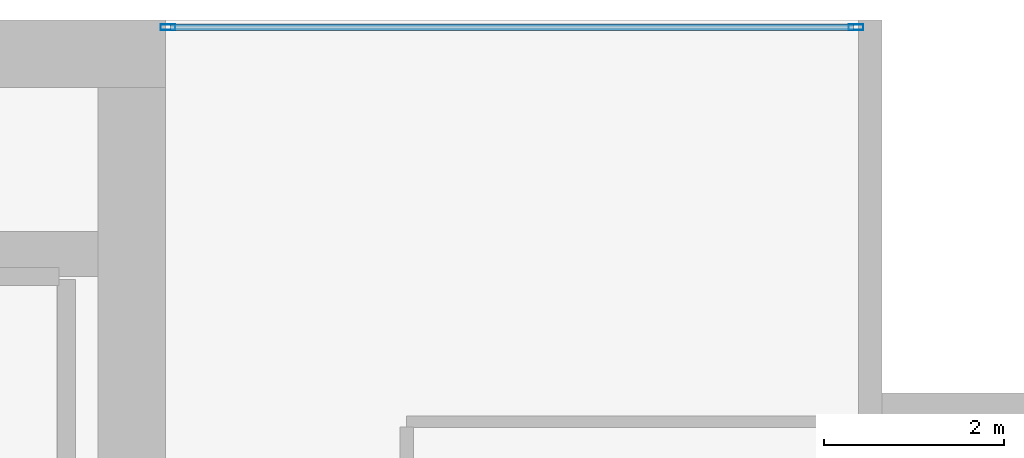
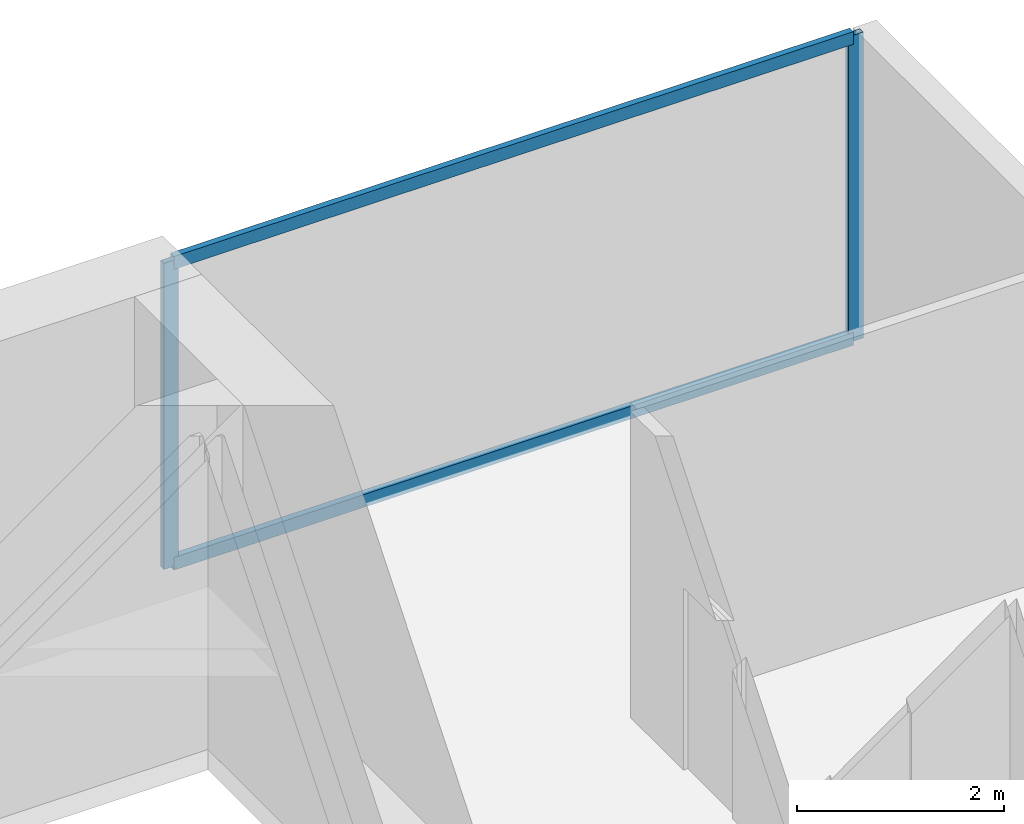
# One storey, part 25 of 34: 4 members, 1 element without a shape of its own.
"""IFC4 building model written with IfcOpenShell, lengths in metres."""

from ifc_helpers import new_model, si_unit, direction, frame, origin, origin_2d, place, context, subcontext, project, spatial, hollow_rectangle, extrude, material, layer, layer_set, material_profile, profile_set, type_object, element, aggregate, save


model = new_model("IFC4")

# Units and contexts
model_context = context("Model", 3, precision=1e-05, world=origin(), true_north=direction((0.0, 1.0)))
body_context = subcontext(model_context, "Body", "Model", "MODEL_VIEW")
ifc_project = project(units=[si_unit("LENGTHUNIT", "METRE"), si_unit("AREAUNIT", "SQUARE_METRE"), si_unit("VOLUMEUNIT", "CUBIC_METRE"), si_unit("PLANEANGLEUNIT", "RADIAN"), si_unit("MASSUNIT", "GRAM", prefix="KILO")], contexts=[model_context])

# Site, building, storey
site_placement = place(None, origin())
site = spatial("IfcSite", under=ifc_project, at=site_placement, CompositionType="ELEMENT")
building_placement = place(site_placement, origin())
building = spatial("IfcBuilding", under=site, at=building_placement, Name="Maruvema Waterfront Hotel and Observation Tower", CompositionType="ELEMENT")
storey_placement = place(building_placement, frame((0.0, 0.0, 181.300048828125)))
storey = spatial("IfcBuildingStorey", under=building, at=storey_placement, Name="L44", CompositionType="ELEMENT", Elevation=181.300048828125)

# Curtain wall, members
ifc_material_1 = material(Name="Anodised bronze aluminium and solar-control low-E IGU", Category="aluminium")
ifc_layer = layer(ifc_material_1, 0.159912109375, Name="Zone 2 Amber Inner Thermal Curtain Wall System CW-03")
ifc_layer_set = layer_set([ifc_layer], Name="Anodised bronze aluminium and solar-control low-E IGU")
curtain_wall_type = type_object("IfcCurtainWallType", Name="Zone 2 Amber Inner Thermal Curtain Wall System CW-03", PredefinedType="USERDEFINED", material=ifc_layer_set)
curtain_wall_placement = place(storey_placement, origin())
curtain_wall = element("IfcCurtainWall", 1, at=curtain_wall_placement, inside=storey, type_object=curtain_wall_type, Name="L44 Curtain Wall CW-L44-NE", ObjectType="UNITISED CURTAIN WALL", PredefinedType="USERDEFINED")
ifc_material_2 = material(Name="Anodised architectural bronze aluminium", Category="aluminium")
ifc_material_profile_1 = material_profile(ifc_material_2, hollow_rectangle(XDim=0.070068359375, YDim=0.14990234375, WallThickness=0.00390625, at=origin_2d()), Name="ALU-T70x150")
ifc_profile_set_1 = profile_set([ifc_material_profile_1], Name="Anodised architectural bronze aluminium")
member_type_1 = type_object("IfcMemberType", Name="Curtain Wall Horizontal Transom ALU-T70x150", PredefinedType="USERDEFINED", material=ifc_profile_set_1)
member_1_placement = place(storey_placement, frame((58.0400390625, 53.919921875, 0.030029296875), z_axis=(-1.0, 0.0, 0.0), x_axis=(0.0, -1.0, 0.0)))
member_1 = element("IfcMember", 2, at=member_1_placement, type_object=member_type_1, Name="CW-03 transom 1.1", ObjectType="TRANSOM", PredefinedType="USERDEFINED", context=body_context, shape_type="SweptSolid", body=[
    extrude(hollow_rectangle(XDim=0.070068359375, YDim=0.14990234375, WallThickness=0.00390625, at=origin_2d()), origin(), (0.0, 0.0, 1.0), 7.580078125),
])
member_2_placement = place(storey_placement, frame((58.0400390625, 53.919921875, 3.579833984375), z_axis=(-1.0, 0.0, 0.0), x_axis=(0.0, -1.0, 0.0)))
member_2 = element("IfcMember", 3, at=member_2_placement, type_object=member_type_1, Name="CW-03 transom 1.2", ObjectType="TRANSOM", PredefinedType="USERDEFINED", context=body_context, shape_type="SweptSolid", body=[
    extrude(hollow_rectangle(XDim=0.070068359375, YDim=0.14990234375, WallThickness=0.00390625, at=origin_2d()), origin(), (0.0, 0.0, 1.0), 7.580078125),
])
ifc_material_3 = material(Name="Anodised architectural bronze aluminium", Category="aluminium")
ifc_material_profile_2 = material_profile(ifc_material_3, hollow_rectangle(XDim=0.06494140625, YDim=0.1650390625, WallThickness=0.00390625, at=origin_2d()), Name="ALU-M65x165")
ifc_profile_set_2 = profile_set([ifc_material_profile_2], Name="Anodised architectural bronze aluminium")
member_type_2 = type_object("IfcMemberType", Name="Curtain Wall Primary Mullion ALU-M65x165", PredefinedType="MULLION", material=ifc_profile_set_2)
member_3_placement = place(storey_placement, frame((58.070068359375, 53.919921875, 0.0), z_axis=(0.0, 0.0, 1.0), x_axis=(0.0, -1.0, 0.0)))
member_3 = element("IfcMember", 4, at=member_3_placement, type_object=member_type_2, Name="CW-03 mullion 1", PredefinedType="MULLION", context=body_context, shape_type="SweptSolid", body=[
    extrude(hollow_rectangle(XDim=0.06494140625, YDim=0.1650390625, WallThickness=0.00390625, at=origin_2d()), origin(), (0.0, 0.0, 1.0), 3.60986328125),
])
member_4_placement = place(storey_placement, frame((50.429931640625, 53.919921875, 0.0), z_axis=(0.0, 0.0, 1.0), x_axis=(0.0, -1.0, 0.0)))
member_4 = element("IfcMember", 5, at=member_4_placement, type_object=member_type_2, Name="CW-03 mullion 2", PredefinedType="MULLION", context=body_context, shape_type="SweptSolid", body=[
    extrude(hollow_rectangle(XDim=0.06494140625, YDim=0.1650390625, WallThickness=0.00390625, at=origin_2d()), origin(), (0.0, 0.0, 1.0), 3.60986328125),
])
aggregate(curtain_wall, [member_3, member_4, member_1, member_2])

save(model, "model.ifc")
